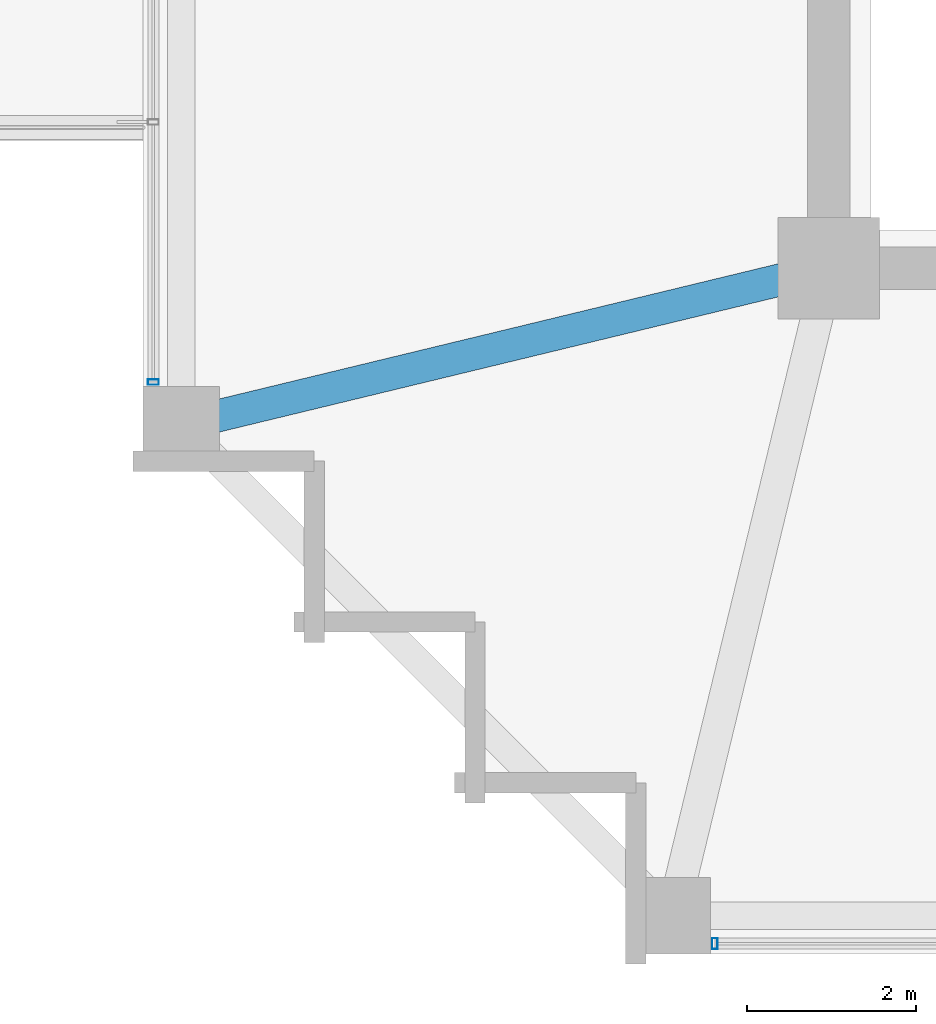
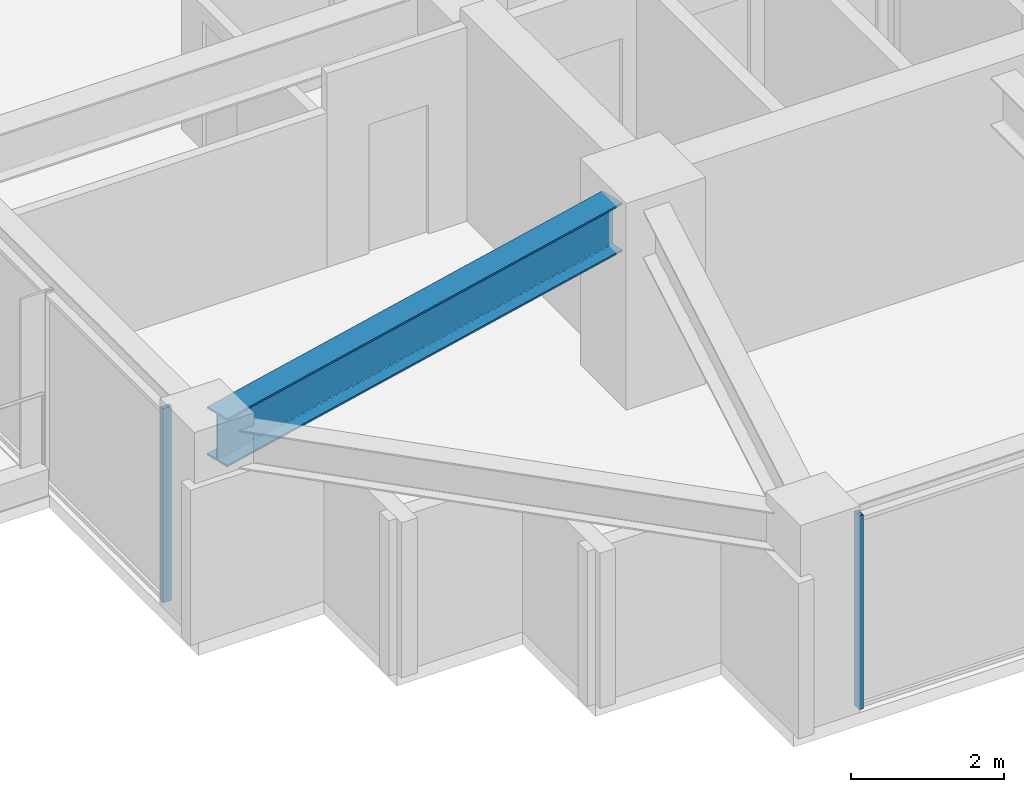
# One storey, part 2 of 33: 2 members, 1 beam, 2 elements without a shape of their own.
"""IFC4 building model written with IfcOpenShell, lengths in metres."""

import ifcopenshell
import ifcopenshell.guid

model = None  # the IFC model being written
_history = None  # IfcOwnerHistory: only IFC2X3 demands one
_inside = {}  # id of a spatial element -> (the spatial element, [elements in it])
_under = {}  # id of a project, library or spatial element -> (it, [spatial elements below it])
_declared = {}  # id of a project -> (the project, [libraries it declares])
_typed = {}  # id of a type object -> (the type object, [elements of that type])
_made_of = {}  # id of a material, layer set ... -> (it, [elements and type objects made of it])


def new_model(schema):
    """Start an empty IFC model of exactly this schema.

    Asked for "IFC4X3", IfcOpenShell would pick the latest addendum, in which some entities
    have other attributes; the version numbers below select the first issue.
    IFC2X3 requires an IfcOwnerHistory on every rooted entity: one is made here for all.
    """
    global model, _history
    if schema == "IFC4X3":
        model = ifcopenshell.file(schema_version=(4, 3, 0, 0))
    else:
        model = ifcopenshell.file(schema=schema)
    _inside.clear()
    _under.clear()
    _declared.clear()
    _typed.clear()
    _made_of.clear()
    _history = None
    if model.schema == "IFC2X3":
        org = make("IfcOrganization", Name="unknown")
        user = make(
            "IfcPersonAndOrganization",
            ThePerson=make("IfcPerson", FamilyName="unknown"),
            TheOrganization=org,
        )
        app = make(
            "IfcApplication",
            ApplicationDeveloper=org,
            Version="unknown",
            ApplicationFullName="unknown",
            ApplicationIdentifier="unknown",
        )
        _history = make(
            "IfcOwnerHistory",
            OwningUser=user,
            OwningApplication=app,
            ChangeAction="ADDED",
            CreationDate=0,
        )
    return model


def make(cls, **values):
    """One entity of the class cls with the attributes given. An attribute that is None is left unset."""
    return model.create_entity(
        cls, **{name: value for name, value in values.items() if value is not None}
    )


def rooted(cls, **values):
    """An entity with a GlobalId (a new one), such as an element, a storey or a relation."""
    return make(cls, GlobalId=ifcopenshell.guid.new(), OwnerHistory=_history, **values)


def si_unit(unit_type, name, prefix=None):
    """IfcSIUnit, for example si_unit("LENGTHUNIT", "METRE", prefix="MILLI")."""
    return make("IfcSIUnit", UnitType=unit_type, Prefix=prefix, Name=name)


def assignment(units):
    """IfcUnitAssignment: the units of a project."""
    return None if units is None else make("IfcUnitAssignment", Units=units)


def point(xyz):
    """IfcCartesianPoint."""
    return None if xyz is None else make("IfcCartesianPoint", Coordinates=xyz)


def direction(xyz):
    """IfcDirection."""
    return None if xyz is None else make("IfcDirection", DirectionRatios=xyz)


def frame(location, z_axis=None, x_axis=None):
    """IfcAxis2Placement3D, a coordinate frame: its origin and axes. An axis left out is left unset."""
    return make(
        "IfcAxis2Placement3D",
        Location=point(location),
        Axis=direction(z_axis),
        RefDirection=direction(x_axis),
    )


def frame_2d(location, x_axis=None):
    """IfcAxis2Placement2D, a coordinate frame in the plane: its origin and x axis."""
    return make(
        "IfcAxis2Placement2D", Location=point(location), RefDirection=direction(x_axis)
    )


def origin():
    """The frame at (0, 0, 0) with its axes left unset."""
    return frame((0.0, 0.0, 0.0))


def origin_2d():
    """The frame at (0, 0) in the plane with its x axis left unset."""
    return frame_2d((0.0, 0.0))


def place(relative_to, where):
    """IfcLocalPlacement: puts the frame where relative to a parent placement (None: the world)."""
    return make(
        "IfcLocalPlacement", PlacementRelTo=relative_to, RelativePlacement=where
    )


def context(
    kind, dimensions, precision=None, world=None, true_north=None, identifier=None
):
    """IfcGeometricRepresentationContext, for example the 3D "Model" context."""
    return make(
        "IfcGeometricRepresentationContext",
        ContextIdentifier=identifier,
        ContextType=kind,
        CoordinateSpaceDimension=dimensions,
        Precision=precision,
        WorldCoordinateSystem=world,
        TrueNorth=true_north,
    )


def subcontext(parent, identifier, kind, view, scale=None):
    """IfcGeometricRepresentationSubContext, for example "Body" below "Model"."""
    return make(
        "IfcGeometricRepresentationSubContext",
        ContextIdentifier=identifier,
        ContextType=kind,
        ParentContext=parent,
        TargetScale=scale,
        TargetView=view,
    )


def project(units=None, contexts=None):
    """IfcProject with its units and contexts."""
    return rooted(
        "IfcProject",
        Name="project",
        RepresentationContexts=contexts,
        UnitsInContext=assignment(units),
    )


def spatial(cls, under=None, at=None, **own):
    """A site, building, storey or space (cls), placed at a placement, below another one or the project."""
    s = rooted(cls, ObjectPlacement=at, **own)
    if under is not None:
        _under.setdefault(under.id(), (under, []))[1].append(s)
    return s


def profile(cls, at=None, kind="AREA", **sizes):
    """A parametric profile (cls). Its sizes go by their IFC names, for example OverallWidth=200.0."""
    return make(cls, ProfileType=kind, Position=at, **sizes)


def hollow_rectangle(**sizes):
    """IfcRectangleHollowProfileDef."""
    return profile("IfcRectangleHollowProfileDef", **sizes)


def i_section(**sizes):
    """IfcIShapeProfileDef."""
    return profile("IfcIShapeProfileDef", **sizes)


def extrude(swept, where, along, depth):
    """IfcExtrudedAreaSolid: the profile swept, set in the frame where, extruded along a direction by depth."""
    return make(
        "IfcExtrudedAreaSolid",
        SweptArea=swept,
        Position=where,
        ExtrudedDirection=direction(along),
        Depth=depth,
    )


def shape(context_of_items, identifier, shape_type, items):
    """IfcShapeRepresentation: the items that make up one representation, for example the "Body"."""
    return make(
        "IfcShapeRepresentation",
        ContextOfItems=context_of_items,
        RepresentationIdentifier=identifier,
        RepresentationType=shape_type,
        Items=items,
    )


def material(Name=None, Category=None):
    """IfcMaterial."""
    return make("IfcMaterial", Name=Name, Category=Category)


def material_profile(
    of_material, cross_section, Name=None, Category=None, Priority=None
):
    """IfcMaterialProfile: a cross section and its material."""
    return make(
        "IfcMaterialProfile",
        Name=Name,
        Material=of_material,
        Profile=cross_section,
        Priority=Priority,
        Category=Category,
    )


def profile_set(profiles, Name=None, composite=None):
    """IfcMaterialProfileSet."""
    return make(
        "IfcMaterialProfileSet",
        Name=Name,
        MaterialProfiles=profiles,
        CompositeProfile=composite,
    )


def made_of(thing, what):
    """Note that an element or type object is made of a material, layer set ...; save() writes the relation."""
    if what is not None:
        _made_of.setdefault(what.id(), (what, []))[1].append(thing)
    return thing


def type_object(cls, material=None, **own):
    """A type object (cls), such as IfcWallType, which elements share."""
    return made_of(rooted(cls, **own), material)


def element(
    cls,
    number,
    at=None,
    inside=None,
    cuts=None,
    type_object=None,
    material=None,
    context=None,
    identifier="Body",
    shape_type=None,
    held_by="IfcProductDefinitionShape",
    body=None,
    shapes=None,
    **own,
):
    """One element of the class cls, such as IfcWall. Its Tag is "e" and its number.

    at: its placement. inside: the storey or other place that contains it. cuts: it is an
    opening in that element (IfcRelVoidsElement). A single representation is given by context,
    identifier, shape_type and body (its items); several are given by shapes. held_by: the class
    of the entity that holds the representations. save() writes the other relations.
    """
    e = rooted(cls, Tag="e%d" % number, ObjectPlacement=at, **own)
    if body is not None:
        shapes = [shape(context, identifier, shape_type, body)]
    if shapes is not None:
        e.Representation = make(held_by, Representations=shapes)
    if inside is not None:
        _inside.setdefault(inside.id(), (inside, []))[1].append(e)
    if cuts is not None:
        rooted(
            "IfcRelVoidsElement", RelatingBuildingElement=cuts, RelatedOpeningElement=e
        )
    if type_object is not None:
        _typed.setdefault(type_object.id(), (type_object, []))[1].append(e)
    return made_of(e, material)


def aggregate(whole, parts):
    """IfcRelAggregates: a whole, such as a stair, and the parts it consists of."""
    return rooted("IfcRelAggregates", RelatingObject=whole, RelatedObjects=parts)


def save(model, path):
    """Write the relations noted so far, then the file.

    IfcRelAggregates (storeys below a building ...), IfcRelContainedInSpatialStructure (elements
    in a storey), IfcRelDefinesByType, IfcRelAssociatesMaterial and IfcRelDeclares: one each for
    every whole, place, type object, material and project.
    """
    for whole, parts in _under.values():
        aggregate(whole, parts)
    for where, things in _inside.values():
        rooted(
            "IfcRelContainedInSpatialStructure",
            RelatedElements=things,
            RelatingStructure=where,
        )
    for kind, things in _typed.values():
        rooted("IfcRelDefinesByType", RelatedObjects=things, RelatingType=kind)
    for what, things in _made_of.values():
        rooted("IfcRelAssociatesMaterial", RelatedObjects=things, RelatingMaterial=what)
    for by, libraries in _declared.values():
        rooted("IfcRelDeclares", RelatingContext=by, RelatedDefinitions=libraries)
    model.write(path)


model = new_model("IFC4")

# Units and contexts
model_context = context("Model", 3, precision=1e-05, world=origin(), true_north=direction((0.0, 1.0)))
body_context = subcontext(model_context, "Body", "Model", "MODEL_VIEW")
ifc_project = project(units=[si_unit("LENGTHUNIT", "METRE"), si_unit("AREAUNIT", "SQUARE_METRE"), si_unit("VOLUMEUNIT", "CUBIC_METRE"), si_unit("PLANEANGLEUNIT", "RADIAN"), si_unit("MASSUNIT", "GRAM", prefix="KILO")], contexts=[model_context])

# Site, building, storey
site_placement = place(None, origin())
site = spatial("IfcSite", under=ifc_project, at=site_placement, CompositionType="ELEMENT")
building_placement = place(site_placement, origin())
building = spatial("IfcBuilding", under=site, at=building_placement, Name="Kolvaren Belvedere", CompositionType="ELEMENT")
storey_placement = place(building_placement, frame((0.0, 0.0, 128.300048828125)))
storey = spatial("IfcBuildingStorey", under=building, at=storey_placement, Name="L37", CompositionType="ELEMENT", Elevation=128.300048828125)

# Beam
ifc_material_1 = material(Name="Structural steel ASTM A992 Grade 50", Category="steel")
ifc_material_profile_1 = material_profile(ifc_material_1, i_section(OverallWidth=0.381103515625, OverallDepth=0.77294921875, WebThickness=0.0166015625, FlangeThickness=0.027099609375, FilletRadius=0.02392578125, at=origin_2d()), Name="W30X173")
ifc_profile_set_1 = profile_set([ifc_material_profile_1], Name="Structural steel ASTM A992 Grade 50")
beam_type = type_object("IfcBeamType", Name="BM-GIRD-W30X173", PredefinedType="BEAM", material=ifc_profile_set_1)
beam_placement = place(storey_placement, frame((-10.4345703125, -10.029296875, 2.71337890625), z_axis=(-0.971980197119, -0.235062749937, 0.0), x_axis=(0.235062749937, -0.971980197119, 0.0)))
element("IfcBeam", 1, at=beam_placement, inside=storey, type_object=beam_type, Name="L37 Corner Core-to-Perimeter Girder CC1-W1", PredefinedType="BEAM", context=body_context, shape_type="SweptSolid", body=[
    extrude(i_section(OverallWidth=0.381103515625, OverallDepth=0.77294921875, WebThickness=0.0166015625, FlangeThickness=0.027099609375, FilletRadius=0.02392578125, at=origin_2d()), origin(), (0.0, 0.0, 1.0), 7.140625),
])

# Curtain wall, member
ifc_material_2 = material(Name="Anodised pale-metal aluminium AA 6063-T6", Category="aluminium")
curtain_wall_type = type_object("IfcCurtainWallType", Name="CW-Z3-WAIST", PredefinedType="NOTDEFINED", material=ifc_material_2)
curtain_wall_1_placement = place(storey_placement, origin())
curtain_wall_1 = element("IfcCurtainWall", 2, at=curtain_wall_1_placement, inside=storey, type_object=curtain_wall_type, Name="L37 Unitised Curtain Wall FCW-L37-S-B3", PredefinedType="NOTDEFINED")
ifc_material_3 = material(Name="Anodised pale-metal aluminium AA 6063-T6", Category="aluminium")
ifc_material_profile_2 = material_profile(ifc_material_3, hollow_rectangle(XDim=0.06494140625, YDim=0.1298828125, WallThickness=0.00390625, at=origin_2d()), Name="ALU-MUL-130X65")
ifc_profile_set_2 = profile_set([ifc_material_profile_2], Name="Anodised pale-metal aluminium AA 6063-T6")
member_type = type_object("IfcMemberType", Name="CW-MUL-130", PredefinedType="MULLION", material=ifc_profile_set_2)
member_1_placement = place(storey_placement, frame((-11.24755859375, -17.8798828125, 0.0), z_axis=(0.0, 0.0, 1.0), x_axis=(1.0, 0.0, 0.0)))
member_1 = element("IfcMember", 3, at=member_1_placement, type_object=member_type, Name="FCW-L37-S-B3 Unitised Mullion 3", PredefinedType="MULLION", context=body_context, shape_type="SweptSolid", body=[
    extrude(hollow_rectangle(XDim=0.06494140625, YDim=0.1298828125, WallThickness=0.00390625, at=origin_2d()), origin(), (0.0, 0.0, 1.0), 3.099853515625),
])
aggregate(curtain_wall_1, [member_1])

curtain_wall_2_placement = place(storey_placement, origin())
curtain_wall_2 = element("IfcCurtainWall", 4, at=curtain_wall_2_placement, inside=storey, type_object=curtain_wall_type, Name="L37 Unitised Curtain Wall FCW-L37-W1-B1", PredefinedType="NOTDEFINED")
member_2_placement = place(storey_placement, frame((-17.8798828125, -11.24755859375, 0.0), z_axis=(0.0, 0.0, 1.0), x_axis=(0.0, 1.0, 0.0)))
member_2 = element("IfcMember", 5, at=member_2_placement, type_object=member_type, Name="FCW-L37-W1-B1 Unitised Mullion 1", PredefinedType="MULLION", context=body_context, shape_type="SweptSolid", body=[
    extrude(hollow_rectangle(XDim=0.06494140625, YDim=0.1298828125, WallThickness=0.00390625, at=origin_2d()), origin(), (0.0, 0.0, 1.0), 3.099853515625),
])
aggregate(curtain_wall_2, [member_2])

save(model, "model.ifc")
